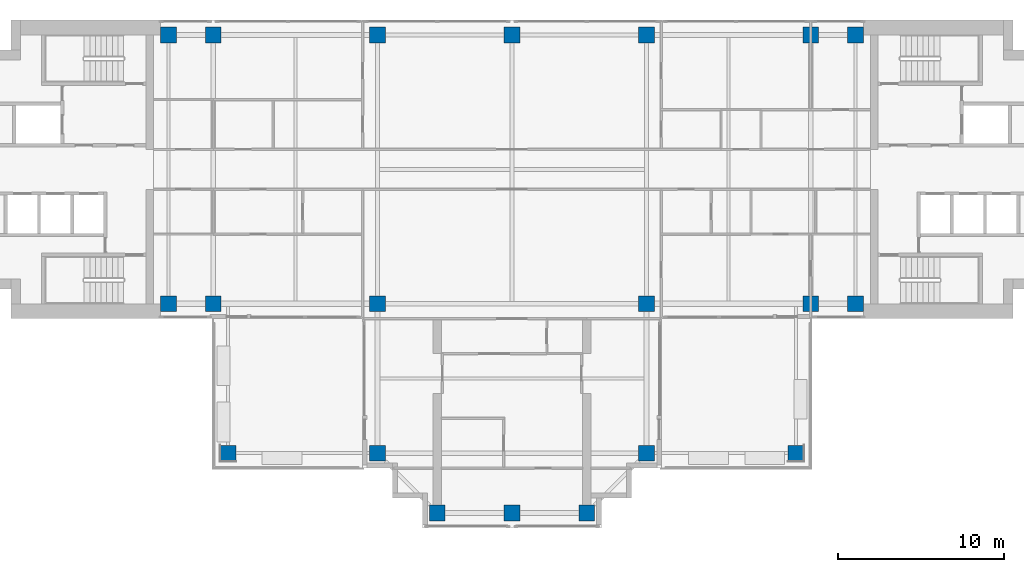
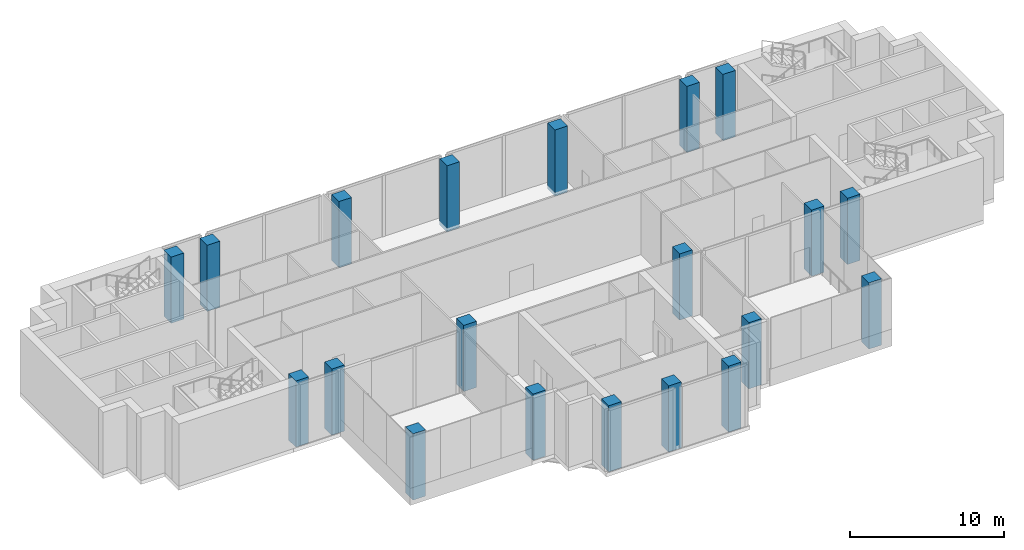
# One storey, part 1 of 12: 20 columns.
"""IFC4 building model written with IfcOpenShell, lengths in metres."""

from ifc_helpers import new_model, si_unit, direction, frame, origin, origin_2d, place, context, subcontext, project, spatial, rectangle, extrude, material, material_profile, profile_set, type_object, element, save


model = new_model("IFC4")

# Units and contexts
model_context = context("Model", 3, precision=1e-05, world=origin(), true_north=direction((0.0, 1.0)))
body_context = subcontext(model_context, "Body", "Model", "MODEL_VIEW")
ifc_project = project(units=[si_unit("LENGTHUNIT", "METRE"), si_unit("AREAUNIT", "SQUARE_METRE"), si_unit("VOLUMEUNIT", "CUBIC_METRE"), si_unit("PLANEANGLEUNIT", "RADIAN"), si_unit("MASSUNIT", "GRAM", prefix="KILO")], contexts=[model_context])

# Site, building, storey
site_placement = place(None, origin())
site = spatial("IfcSite", under=ifc_project, at=site_placement, CompositionType="ELEMENT")
building_placement = place(site_placement, origin())
building = spatial("IfcBuilding", under=site, at=building_placement, Name="Perihelion Cross Residences", CompositionType="ELEMENT")
storey_placement = place(building_placement, frame((0.0, 0.0, 222.60009765625)))
storey = spatial("IfcBuildingStorey", under=building, at=storey_placement, Name="L56", CompositionType="ELEMENT", Elevation=222.60009765625)

# Columns
ifc_material = material(Name="Concrete C60/75", Category="concrete")
ifc_material_profile = material_profile(ifc_material, rectangle(XDim=0.949951171875, YDim=0.949951171875, at=origin_2d()), Name="RC 950x950")
ifc_profile_set = profile_set([ifc_material_profile], Name="Concrete C60/75")
column_type = type_object("IfcColumnType", Name="Reinforced concrete column 950x950 C60/75", PredefinedType="COLUMN", material=ifc_profile_set)
for number, where, z_axis, x_axis, name in (
    (1, (-20.699951171875, -8.10009765625, -0.300048828125), (0.0, 0.0, 1.0), (1.0, 0.0, 0.0), "Column C017 L56 no. 1"),
    (2, (-20.699951171875, 8.10009765625, -0.300048828125), (0.0, 0.0, 1.0), (1.0, 0.0, 0.0), "Column C010 L56 no. 1"),
    (3, (-18.0, -8.10009765625, -0.300048828125), (0.0, 0.0, 1.0), (1.0, 0.0, 0.0), "Column C018 L56 no. 1"),
    (4, (-18.0, 8.10009765625, -0.300048828125), (0.0, 0.0, 1.0), (1.0, 0.0, 0.0), "Column C011 L56 no. 1"),
    (5, (-8.10009765625, -17.10009765625, -0.300048828125), (0.0, 0.0, 1.0), (1.0, 0.0, 0.0), "Column C031 L56 no. 1"),
    (6, (-8.10009765625, -8.10009765625, -0.300048828125), (0.0, 0.0, 1.0), (1.0, 0.0, 0.0), "Column C019 L56 no. 1"),
    (7, (-8.10009765625, 8.10009765625, -0.300048828125), (0.0, 0.0, 1.0), (1.0, 0.0, 0.0), "Column C012 L56 no. 1"),
    (8, (-4.5, -20.699951171875, -0.300048828125), (0.0, 0.0, 1.0), (1.0, 0.0, 0.0), "Column C037 L56 no. 1"),
    (9, (0.0, -20.699951171875, -0.300048828125), (0.0, 0.0, 1.0), (1.0, 0.0, 0.0), "Column C038 L56 no. 1"),
    (10, (0.0, 8.10009765625, -0.300048828125), (0.0, 0.0, 1.0), (1.0, 0.0, 0.0), "Column C013 L56 no. 1"),
    (11, (4.5, -20.699951171875, -0.300048828125), (0.0, 0.0, 1.0), (1.0, 0.0, 0.0), "Column C039 L56 no. 1"),
    (12, (8.10009765625, -17.10009765625, -0.300048828125), (0.0, 0.0, 1.0), (1.0, 0.0, 0.0), "Column C035 L56 no. 1"),
    (13, (8.10009765625, -8.10009765625, -0.300048828125), (0.0, 0.0, 1.0), (1.0, 0.0, 0.0), "Column C020 L56 no. 1"),
    (14, (8.10009765625, 8.10009765625, -0.300048828125), (0.0, 0.0, 1.0), (1.0, 0.0, 0.0), "Column C014 L56 no. 1"),
    (15, (18.0, -8.10009765625, -0.300048828125), (0.0, 0.0, 1.0), (1.0, 0.0, 0.0), "Column C021 L56 no. 1"),
    (16, (18.0, 8.10009765625, -0.300048828125), (0.0, 0.0, 1.0), (1.0, 0.0, 0.0), "Column C015 L56 no. 1"),
    (17, (20.699951171875, -8.10009765625, -0.300048828125), (0.0, 0.0, 1.0), (1.0, 0.0, 0.0), "Column C022 L56 no. 1"),
    (18, (20.699951171875, 8.10009765625, -0.300048828125), (0.0, 0.0, 1.0), (1.0, 0.0, 0.0), "Column C016 L56 no. 1"),
    (19, (-17.10009765625, -17.10009765625, -0.300048828125), (0.0, 0.0, 1.0), (1.0, 0.0, 0.0), "Column C030 L56 no. 1"),
    (20, (17.10009765625, -17.10009765625, -0.300048828125), (0.0, 0.0, 1.0), (1.0, 0.0, 0.0), "Column C036 L56 no. 1"),
):
    element("IfcColumn", number, at=place(storey_placement, frame(where, z_axis=z_axis, x_axis=x_axis)), inside=storey, type_object=column_type, Name=name, PredefinedType="COLUMN", context=body_context, shape_type="SweptSolid", body=[
        extrude(rectangle(XDim=0.949951171875, YDim=0.949951171875, at=origin_2d()), origin(), (0.0, 0.0, 1.0), 5.25),
    ])

save(model, "model.ifc")
